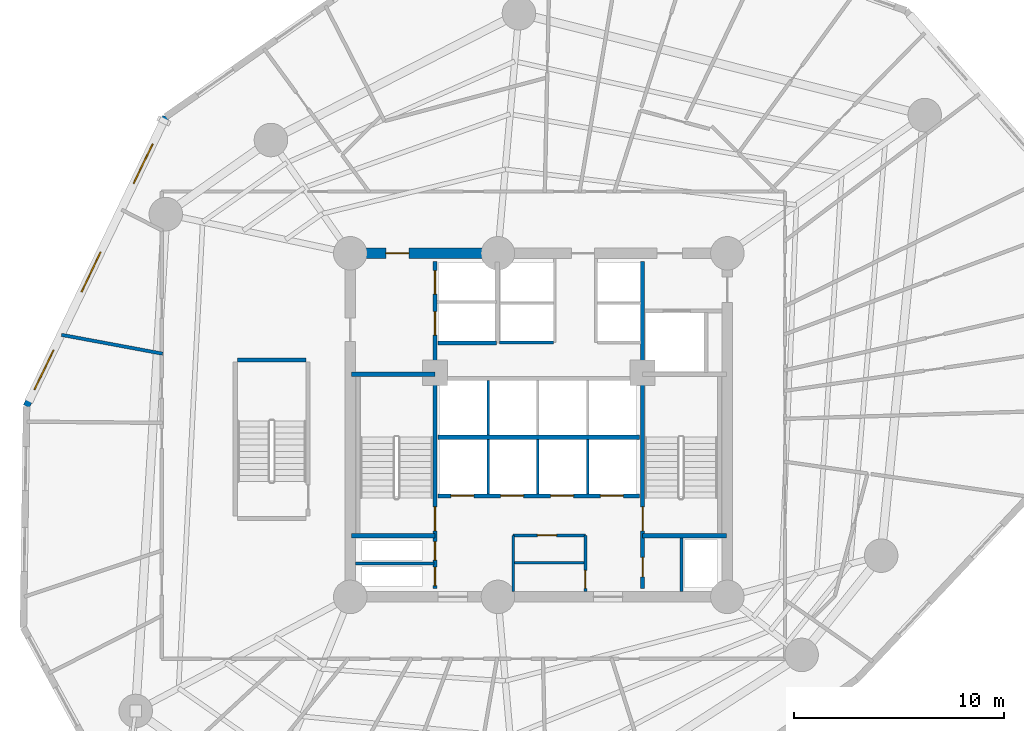
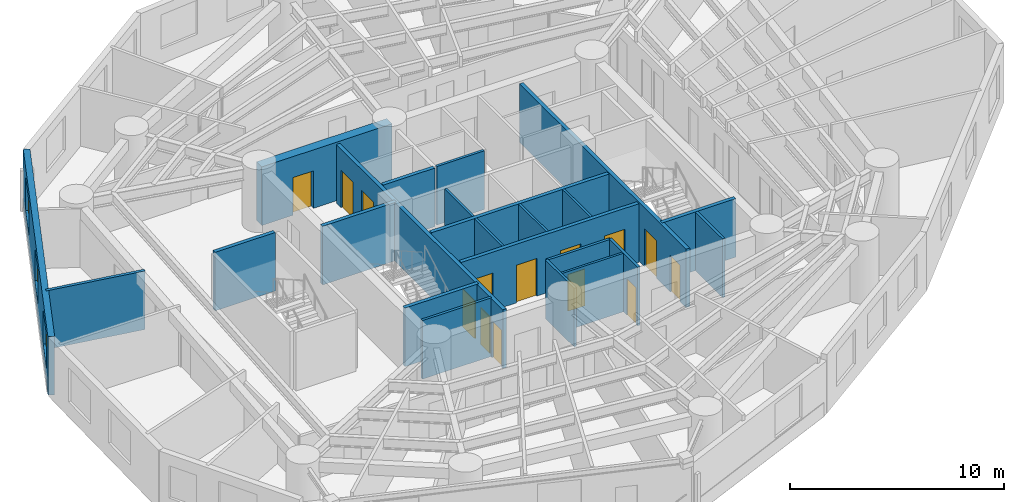
# One storey, part 4 of 11: 23 walls, 14 doors, 3 windows, 17 openings.
"""IFC4 building model written with IfcOpenShell, lengths in metres."""

from ifc_helpers import new_model, si_unit, direction, frame, frame_2d, origin, origin_with_axes, place, context, subcontext, project, spatial, rectangle, extrude, source, transform, mapped, material, layer, layer_set, type_object, element, fill, save


model = new_model("IFC4")

# Units and contexts
model_context = context("Model", 3, precision=1e-05, world=origin(), true_north=direction((0.0, 1.0)))
body_context = subcontext(model_context, "Body", "Model", "MODEL_VIEW")
ifc_project = project(units=[si_unit("LENGTHUNIT", "METRE"), si_unit("AREAUNIT", "SQUARE_METRE"), si_unit("VOLUMEUNIT", "CUBIC_METRE"), si_unit("PLANEANGLEUNIT", "RADIAN"), si_unit("MASSUNIT", "GRAM", prefix="KILO")], contexts=[model_context])

# Site, building, storey
site_placement = place(None, origin())
site = spatial("IfcSite", under=ifc_project, at=site_placement, CompositionType="ELEMENT")
building_placement = place(site_placement, origin())
building = spatial("IfcBuilding", under=site, at=building_placement, Name="Karkom Vertical University and Central Library", CompositionType="ELEMENT")
storey_placement = place(building_placement, frame((0.0, 0.0, 44.5)))
storey = spatial("IfcBuildingStorey", under=building, at=storey_placement, Name="L11", CompositionType="ELEMENT", Elevation=44.5)

# Wall, openings, windows
ifc_material_1 = material(Name="Brick-faced precast concrete C45/55", Category="masonry")
ifc_layer_1 = layer(ifc_material_1, 0.320068359375)
ifc_layer_set_1 = layer_set([ifc_layer_1], Name="Brick-faced precast concrete C45/55")
wall_type_1 = type_object("IfcWallType", Name="ENV-WL-BRK-320", PredefinedType="SOLIDWALL", material=ifc_layer_set_1)
wall_1_placement = place(storey_placement, frame((10.693603515625, 41.21875, 0.0), z_axis=(0.0, 0.0, 1.0), x_axis=(-0.433433173731, -0.901185710001, 0.0)))
wall_1 = element("IfcWall", 1, at=wall_1_placement, inside=storey, type_object=wall_type_1, Name="Level 11 Brick-Faced Precast Facade Wall 01", PredefinedType="SOLIDWALL", context=body_context, shape_type="SweptSolid", body=[
    extrude(rectangle(XDim=15.33740234375, YDim=0.320068359375, at=frame_2d((7.668701171875, 0.0))), origin(), (0.0, 0.0, 1.0), 3.35009765625),
])
opening_1_placement = place(wall_1_placement, frame((1.437255859375, 0.0, 0.85009765625)))
opening_1 = element("IfcOpeningElement", 2, at=opening_1_placement, cuts=wall_1, Name="Opening WN-03", PredefinedType="OPENING", context=body_context, shape_type="SweptSolid", body=[
    extrude(rectangle(XDim=2.10009765625, YDim=1.949951171875, at=frame_2d((1.050048828125, 0.97509765625))), frame((0.0, 0.169921875, 0.0), z_axis=(0.0, -1.0, 0.0), x_axis=(1.0, 0.0, 0.0)), (0.0, 0.0, 1.0), 0.340087890625),
])
opening_2_placement = place(wall_1_placement, frame((7.172607421875, 0.0, 0.85009765625)))
opening_2 = element("IfcOpeningElement", 3, at=opening_2_placement, cuts=wall_1, Name="Opening WN-03", PredefinedType="OPENING", context=body_context, shape_type="SweptSolid", body=[
    extrude(rectangle(XDim=2.10009765625, YDim=1.949951171875, at=frame_2d((1.050048828125, 0.97509765625))), frame((0.0, 0.169921875, 0.0), z_axis=(0.0, -1.0, 0.0), x_axis=(1.0, 0.0, 0.0)), (0.0, 0.0, 1.0), 0.340087890625),
])
opening_3_placement = place(wall_1_placement, frame((12.35400390625, 0.0, 0.85009765625)))
opening_3 = element("IfcOpeningElement", 4, at=opening_3_placement, cuts=wall_1, Name="Opening WN-03", PredefinedType="OPENING", context=body_context, shape_type="SweptSolid", body=[
    extrude(rectangle(XDim=2.10009765625, YDim=1.949951171875, at=frame_2d((1.050048828125, 0.97509765625))), frame((0.0, 0.169921875, 0.0), z_axis=(0.0, -1.0, 0.0), x_axis=(1.0, 0.0, 0.0)), (0.0, 0.0, 1.0), 0.340087890625),
])
ifc_material_2 = material(Name="Aluminium thermal-break frame with solar-control IGU", Category="aluminium")
window_type = type_object("IfcWindowType", Name="ENV-WIN-WN-03", PartitioningType="SINGLE_PANEL", PredefinedType="WINDOW", material=ifc_material_2)
shared_shape_1 = source(origin_with_axes(), body_context, "Body", "SweptSolid", [
    extrude(rectangle(XDim=2.10009765625, YDim=1.949951171875, at=frame_2d((1.050048828125, 0.97509765625))), frame((0.0, 0.030029296875, 0.0), z_axis=(0.0, -1.0, 0.0), x_axis=(1.0, 0.0, 0.0)), (0.0, 0.0, 1.0), 0.06005859375),
])
window_1_placement = place(opening_1_placement, origin())
window_1 = element("IfcWindow", 5, at=window_1_placement, inside=storey, type_object=window_type, Name="Level 11 Punched Window 1.1", OverallHeight=1.949951171875, OverallWidth=2.10009765625, PartitioningType="SINGLE_PANEL", PredefinedType="WINDOW", context=body_context, shape_type="MappedRepresentation", body=[
    mapped(shared_shape_1, transform((0.0, 0.0, 0.0), scale=1.0)),
])
fill(opening_1, window_1)
window_2_placement = place(opening_2_placement, origin())
window_2 = element("IfcWindow", 6, at=window_2_placement, inside=storey, type_object=window_type, Name="Level 11 Punched Window 1.2", OverallHeight=1.949951171875, OverallWidth=2.10009765625, PartitioningType="SINGLE_PANEL", PredefinedType="WINDOW", context=body_context, shape_type="MappedRepresentation", body=[
    mapped(shared_shape_1, transform((0.0, 0.0, 0.0), scale=1.0)),
])
fill(opening_2, window_2)
window_3_placement = place(opening_3_placement, origin())
window_3 = element("IfcWindow", 7, at=window_3_placement, inside=storey, type_object=window_type, Name="Level 11 Punched Window 1.3", OverallHeight=1.949951171875, OverallWidth=2.10009765625, PartitioningType="SINGLE_PANEL", PredefinedType="WINDOW", context=body_context, shape_type="MappedRepresentation", body=[
    mapped(shared_shape_1, transform((0.0, 0.0, 0.0), scale=1.0)),
])
fill(opening_3, window_3)

# Walls
ifc_material_3 = material(Name="Insulated metal-stud drywall 160mm", Category="gypsum")
ifc_layer_2 = layer(ifc_material_3, 0.159912109375)
ifc_layer_set_2 = layer_set([ifc_layer_2], Name="Insulated metal-stud drywall 160mm")
wall_type_2 = type_object("IfcWallType", Name="INT-WL-COR-160", PredefinedType="PARTITIONING", material=ifc_layer_set_2)
wall_2_placement = place(storey_placement, frame((10.544189453125, 29.90771484375, 0.0), z_axis=(0.0, 0.0, 1.0), x_axis=(-0.983076994719, 0.183192855906, 0.0)))
element("IfcWall", 8, at=wall_2_placement, inside=storey, type_object=wall_type_2, Name="Level 11 Interior Partition Wall L11-PW-042", PredefinedType="PARTITIONING", context=body_context, shape_type="SweptSolid", body=[
    extrude(rectangle(XDim=4.910888671875, YDim=0.159912109375, at=frame_2d((2.45556640625, 0.0))), origin(), (0.0, 0.0, 1.0), 3.35009765625),
])
ifc_material_4 = material(Name="Moisture-resistant drywall 120mm", Category="gypsum")
ifc_layer_3 = layer(ifc_material_4, 0.1201171875)
ifc_layer_set_3 = layer_set([ifc_layer_3], Name="Moisture-resistant drywall 120mm")
wall_type_3 = type_object("IfcWallType", Name="INT-WL-INT-120", PredefinedType="PARTITIONING", material=ifc_layer_set_3)
wall_3_placement = place(storey_placement, frame((27.280029296875, 19.93994140625, 0.0), z_axis=(0.0, 0.0, 1.0), x_axis=(1.0, 0.0, 0.0)))
element("IfcWall", 9, at=wall_3_placement, inside=storey, type_object=wall_type_3, Name="Level 11 Interior Partition Wall L11-CW-K4-DIV", PredefinedType="PARTITIONING", context=body_context, shape_type="SweptSolid", body=[
    extrude(rectangle(XDim=3.43994140625, YDim=0.1201171875, at=frame_2d((1.719970703125, 0.0))), origin(), (0.0, 0.0, 1.0), 3.35009765625),
])
ifc_layer_4 = layer(ifc_material_4, 0.1201171875)
ifc_layer_set_4 = layer_set([ifc_layer_4], Name="Moisture-resistant drywall 120mm")
wall_type_4 = type_object("IfcWallType", Name="INT-WL-INT-120H", PredefinedType="PARTITIONING", material=ifc_layer_set_4)
for number, where, z_axis, x_axis, name in (
    (10, (26.080078125, 23.219970703125, 0.0), (0.0, 0.0, 1.0), (0.0, 1.0, 0.0), "Level 11 Interior Partition Wall L11-CW-PL-DIV1"),
    (11, (28.4599609375, 23.219970703125, 0.0), (0.0, 0.0, 1.0), (0.0, 1.0, 0.0), "Level 11 Interior Partition Wall L11-CW-PL-DIV2"),
    (12, (30.840087890625, 23.219970703125, 0.0), (0.0, 0.0, 1.0), (0.0, 1.0, 0.0), "Level 11 Interior Partition Wall L11-CW-PL-DIV3"),
    (13, (26.080078125, 26.02001953125, 0.0), (0.0, 0.0, 1.0), (0.0, 1.0, 0.0), "Level 11 Interior Partition Wall L11-CW-PM-DIV1"),
):
    element("IfcWall", number, at=place(storey_placement, frame(where, z_axis=z_axis, x_axis=x_axis)), inside=storey, type_object=wall_type_4, Name=name, PredefinedType="PARTITIONING", context=body_context, shape_type="SweptSolid", body=[
        extrude(rectangle(XDim=2.60009765625, YDim=0.1201171875, at=frame_2d((1.300048828125, 0.0))), origin(), (0.0, 0.0, 1.0), 3.35009765625),
    ])

# Wall, opening, door
ifc_material_5 = material(Name="Metal-stud gypsum partition 140mm", Category="gypsum")
ifc_layer_5 = layer(ifc_material_5, 0.139892578125)
ifc_layer_set_5 = layer_set([ifc_layer_5], Name="Metal-stud gypsum partition 140mm")
wall_type_5 = type_object("IfcWallType", Name="INT-WL-SUB-140", PredefinedType="PARTITIONING", material=ifc_layer_set_5)
wall_4_placement = place(storey_placement, frame((27.280029296875, 21.239990234375, 0.0), z_axis=(0.0, 0.0, 1.0), x_axis=(1.0, 0.0, 0.0)))
wall_4 = element("IfcWall", 14, at=wall_4_placement, inside=storey, type_object=wall_type_5, Name="Level 11 Interior Partition Wall L11-CW-KBAY-N", PredefinedType="PARTITIONING", context=body_context, shape_type="SweptSolid", body=[
    extrude(rectangle(XDim=3.43994140625, YDim=0.139892578125, at=frame_2d((1.719970703125, 0.0))), origin(), (0.0, 0.0, 1.0), 3.35009765625),
])
opening_4_placement = place(wall_4_placement, frame((1.14990234375, 0.0, 0.0)))
opening_4 = element("IfcOpeningElement", 15, at=opening_4_placement, cuts=wall_4, Name="Opening D-SVC1", PredefinedType="OPENING", context=body_context, shape_type="SweptSolid", body=[
    extrude(rectangle(XDim=0.919921875, YDim=2.10009765625, at=frame_2d((0.4599609375, 1.050048828125))), frame((0.0, 0.080078125, 0.0), z_axis=(0.0, -1.0, 0.0), x_axis=(1.0, 0.0, 0.0)), (0.0, 0.0, 1.0), 0.159912109375),
])
ifc_material_6 = material(Name="Painted timber service door", Category="wood")
door_type_1 = type_object("IfcDoorType", Name="INT-DR-SVC1", OperationType="NOTDEFINED", PredefinedType="DOOR", material=ifc_material_6)
shared_shape_2 = source(origin_with_axes(), body_context, "Body", "SweptSolid", [
    extrude(rectangle(XDim=0.919921875, YDim=2.10009765625, at=frame_2d((0.4599609375, 1.050048828125))), frame((0.0, 0.02490234375, 0.0), z_axis=(0.0, -1.0, 0.0), x_axis=(1.0, 0.0, 0.0)), (0.0, 0.0, 1.0), 0.050048828125),
])
door_1_placement = place(opening_4_placement, origin())
door_1 = element("IfcDoor", 16, at=door_1_placement, inside=storey, type_object=door_type_1, Name="Level 11 Valve Cupboard Door", OperationType="SINGLE_SWING_RIGHT", OverallHeight=2.10009765625, OverallWidth=0.919921875, PredefinedType="DOOR", context=body_context, shape_type="MappedRepresentation", body=[
    mapped(shared_shape_2, transform((0.0, 0.0, 0.0), scale=1.0)),
])
fill(opening_4, door_1)

# Wall
wall_5_placement = place(storey_placement, frame((27.280029296875, 18.550048828125, 0.0), z_axis=(0.0, 0.0, 1.0), x_axis=(0.0, 1.0, 0.0)))
element("IfcWall", 17, at=wall_5_placement, inside=storey, type_object=wall_type_5, Name="Level 11 Interior Partition Wall L11-CW-KBAY-W", PredefinedType="PARTITIONING", context=body_context, shape_type="SweptSolid", body=[
    extrude(rectangle(XDim=2.68994140625, YDim=0.139892578125, at=frame_2d((1.344970703125, 0.0))), origin(), (0.0, 0.0, 1.0), 3.35009765625),
])

# Wall, opening, door
wall_6_placement = place(storey_placement, frame((30.719970703125, 18.550048828125, 0.0), z_axis=(0.0, 0.0, 1.0), x_axis=(0.0, 1.0, 0.0)))
wall_6 = element("IfcWall", 18, at=wall_6_placement, inside=storey, type_object=wall_type_5, Name="Level 11 Interior Partition Wall L11-CW-KBAY-E", PredefinedType="PARTITIONING", context=body_context, shape_type="SweptSolid", body=[
    extrude(rectangle(XDim=2.68994140625, YDim=0.139892578125, at=frame_2d((1.344970703125, 0.0))), origin(), (0.0, 0.0, 1.0), 3.35009765625),
])
opening_5_placement = place(wall_6_placement, frame((0.159912109375, 0.0, 0.0)))
opening_5 = element("IfcOpeningElement", 19, at=opening_5_placement, cuts=wall_6, Name="Opening FD-BTH1", PredefinedType="OPENING", context=body_context, shape_type="SweptSolid", body=[
    extrude(rectangle(XDim=0.860107421875, YDim=2.10009765625, at=frame_2d((0.43017578125, 1.050048828125))), frame((0.0, 0.080078125, 0.0), z_axis=(0.0, -1.0, 0.0), x_axis=(1.0, 0.0, 0.0)), (0.0, 0.0, 1.0), 0.159912109375),
])
ifc_material_7 = material(Name="Fire-rated moisture-resistant oak door", Category="wood")
door_type_2 = type_object("IfcDoorType", Name="INT-DR-FBTH1", OperationType="NOTDEFINED", PredefinedType="DOOR", material=ifc_material_7)
shared_shape_3 = source(origin_with_axes(), body_context, "Body", "SweptSolid", [
    extrude(rectangle(XDim=0.860107421875, YDim=2.10009765625, at=frame_2d((0.43017578125, 1.050048828125))), frame((0.0, 0.02490234375, 0.0), z_axis=(0.0, -1.0, 0.0), x_axis=(1.0, 0.0, 0.0)), (0.0, 0.0, 1.0), 0.050048828125),
])
door_2_placement = place(opening_5_placement, origin())
door_2 = element("IfcDoor", 20, at=door_2_placement, inside=storey, type_object=door_type_2, Name="Level 11 Metering Cupboard Door", OperationType="SINGLE_SWING_LEFT", OverallHeight=2.10009765625, OverallWidth=0.860107421875, PredefinedType="DOOR", context=body_context, shape_type="MappedRepresentation", body=[
    mapped(shared_shape_3, transform((0.0, 0.0, 0.0), scale=1.0)),
])
fill(opening_5, door_2)

# Walls
ifc_layer_6 = layer(ifc_material_5, 0.139892578125)
ifc_layer_set_6 = layer_set([ifc_layer_6], Name="Metal-stud gypsum partition 140mm")
wall_type_6 = type_object("IfcWallType", Name="INT-WL-SUB-140H", PredefinedType="PARTITIONING", material=ifc_layer_set_6)
wall_7_placement = place(storey_placement, frame((19.757080078125, 19.889892578125, 0.0), z_axis=(0.0, 0.0, 1.0), x_axis=(1.0, 0.0, 0.0)))
element("IfcWall", 21, at=wall_7_placement, inside=storey, type_object=wall_type_6, Name="Level 11 Interior Partition Wall L11-CW-RIS-W", PredefinedType="PARTITIONING", context=body_context, shape_type="SweptSolid", body=[
    extrude(rectangle(XDim=3.7392578125, YDim=0.139892578125, at=frame_2d((1.86962890625, 0.0))), origin(), (0.0, 0.0, 1.0), 3.35009765625),
])
wall_8_placement = place(storey_placement, frame((26.6201171875, 30.449951171875, 0.0), z_axis=(0.0, 0.0, 1.0), x_axis=(1.0, 0.0, 0.0)))
element("IfcWall", 22, at=wall_8_placement, inside=storey, type_object=wall_type_6, Name="Level 11 Interior Partition Wall L11-CW-PH-S1", PredefinedType="PARTITIONING", context=body_context, shape_type="SweptSolid", body=[
    extrude(rectangle(XDim=2.579833984375, YDim=0.139892578125, at=frame_2d((1.2900390625, 0.0))), origin(), (0.0, 0.0, 1.0), 3.35009765625),
])
wall_9_placement = place(storey_placement, frame((35.320068359375, 18.556884765625, 0.0), z_axis=(0.0, 0.0, 1.0), x_axis=(0.0, 1.0, 0.0)))
element("IfcWall", 23, at=wall_9_placement, inside=storey, type_object=wall_type_6, Name="Level 11 Interior Partition Wall L11-CW-RIS-E", PredefinedType="PARTITIONING", context=body_context, shape_type="SweptSolid", body=[
    extrude(rectangle(XDim=2.553466796875, YDim=0.139892578125, at=frame_2d((1.27685546875, 0.0))), origin(), (0.0, 0.0, 1.0), 3.35009765625),
])

# Wall, opening, door
ifc_material_8 = material(Name="Concrete C50/60", Category="concrete")
ifc_layer_7 = layer(ifc_material_8, 0.5)
ifc_layer_set_7 = layer_set([ifc_layer_7], Name="Concrete C50/60")
wall_type_7 = type_object("IfcWallType", Name="STR-WL-CW-500", PredefinedType="SHEAR", material=ifc_layer_set_7)
wall_10_placement = place(storey_placement, frame((26.550048828125, 34.699951171875, 0.0), z_axis=(0.0, 0.0, 1.0), x_axis=(-1.0, 0.0, 0.0)))
wall_10 = element("IfcWall", 24, at=wall_10_placement, inside=storey, type_object=wall_type_7, Name="Level 11 Central Core Shear Wall NW2", PredefinedType="SHEAR", context=body_context, shape_type="SweptSolid", body=[
    extrude(rectangle(XDim=7.050048828125, YDim=0.5, at=frame_2d((3.52490234375, 0.0))), origin(), (0.0, 0.0, 1.0), 3.35009765625),
])
opening_6_placement = place(wall_10_placement, frame((4.25, 0.0, 0.0)))
opening_6 = element("IfcOpeningElement", 25, at=opening_6_placement, cuts=wall_10, Name="Opening FD-FFL", PredefinedType="OPENING", context=body_context, shape_type="SweptSolid", body=[
    extrude(rectangle(XDim=1.10009765625, YDim=2.14990234375, at=frame_2d((0.550048828125, 1.074951171875))), frame((0.0, 0.260009765625, 0.0), z_axis=(0.0, -1.0, 0.0), x_axis=(1.0, 0.0, 0.0)), (0.0, 0.0, 1.0), 0.52001953125),
])
ifc_material_9 = material(Name="Painted steel smoke-seal fire door", Category="steel")
door_type_3 = type_object("IfcDoorType", Name="INT-DR-FFL", OperationType="NOTDEFINED", PredefinedType="DOOR", material=ifc_material_9)
shared_shape_4 = source(origin_with_axes(), body_context, "Body", "SweptSolid", [
    extrude(rectangle(XDim=1.10009765625, YDim=2.14990234375, at=frame_2d((0.550048828125, 1.074951171875))), frame((0.0, 0.02490234375, 0.0), z_axis=(0.0, -1.0, 0.0), x_axis=(1.0, 0.0, 0.0)), (0.0, 0.0, 1.0), 0.050048828125),
])
door_3_placement = place(opening_6_placement, origin())
door_3 = element("IfcDoor", 26, at=door_3_placement, inside=storey, type_object=door_type_3, Name="Level 11 Firefighting Lobby Door", OperationType="SINGLE_SWING_RIGHT", OverallHeight=2.14990234375, OverallWidth=1.10009765625, PredefinedType="DOOR", context=body_context, shape_type="MappedRepresentation", body=[
    mapped(shared_shape_4, transform((0.0, 0.0, 0.0), scale=1.0)),
])
fill(opening_6, door_3)

# Wall, openings, doors
ifc_material_10 = material(Name="Concrete C45/55", Category="concrete")
ifc_layer_8 = layer(ifc_material_10, 0.199951171875)
ifc_layer_set_8 = layer_set([ifc_layer_8], Name="Concrete C45/55")
wall_type_8 = type_object("IfcWallType", Name="STR-WL-ST-200", PredefinedType="SHEAR", material=ifc_layer_set_8)
wall_11_placement = place(storey_placement, frame((23.544921875, 18.699951171875, 0.0), z_axis=(0.0, 0.0, 1.0), x_axis=(0.0, 1.0, 0.0)))
wall_11 = element("IfcWall", 27, at=wall_11_placement, inside=storey, type_object=wall_type_8, Name="Level 11 Core Shaft Wall L11-CW-ST1-E", PredefinedType="SHEAR", context=body_context, shape_type="SweptSolid", body=[
    extrude(rectangle(XDim=15.60009765625, YDim=0.199951171875, at=frame_2d((7.800048828125, 0.0))), origin(), (0.0, 0.0, 1.0), 3.35009765625),
])
opening_7_placement = place(wall_11_placement, frame((2.75, 0.0, 0.0)))
opening_7 = element("IfcOpeningElement", 28, at=opening_7_placement, cuts=wall_11, Name="Opening FD-ST1", PredefinedType="OPENING", context=body_context, shape_type="SweptSolid", body=[
    extrude(rectangle(XDim=1.14990234375, YDim=2.14990234375, at=frame_2d((0.574951171875, 1.074951171875))), frame((0.0, 0.10986328125, 0.0), z_axis=(0.0, -1.0, 0.0), x_axis=(1.0, 0.0, 0.0)), (0.0, 0.0, 1.0), 0.219970703125),
])
opening_8_placement = place(wall_11_placement, frame((0.139892578125, 0.0, 0.0)))
opening_8 = element("IfcOpeningElement", 29, at=opening_8_placement, cuts=wall_11, Name="Opening FD-RIS", PredefinedType="OPENING", context=body_context, shape_type="SweptSolid", body=[
    extrude(rectangle(XDim=0.8798828125, YDim=2.10009765625, at=frame_2d((0.43994140625, 1.050048828125))), frame((0.0, 0.10986328125, 0.0), z_axis=(0.0, -1.0, 0.0), x_axis=(1.0, 0.0, 0.0)), (0.0, 0.0, 1.0), 0.219970703125),
])
opening_9_placement = place(wall_11_placement, frame((1.360107421875, 0.0, 0.0)))
opening_9 = element("IfcOpeningElement", 30, at=opening_9_placement, cuts=wall_11, Name="Opening FD-RIS", PredefinedType="OPENING", context=body_context, shape_type="SweptSolid", body=[
    extrude(rectangle(XDim=0.8798828125, YDim=2.10009765625, at=frame_2d((0.43994140625, 1.050048828125))), frame((0.0, 0.10986328125, 0.0), z_axis=(0.0, -1.0, 0.0), x_axis=(1.0, 0.0, 0.0)), (0.0, 0.0, 1.0), 0.219970703125),
])
opening_10_placement = place(wall_11_placement, frame((12.10009765625, 0.0, 0.0)))
opening_10 = element("IfcOpeningElement", 31, at=opening_10_placement, cuts=wall_11, Name="Opening LD-FFL", PredefinedType="OPENING", context=body_context, shape_type="SweptSolid", body=[
    extrude(rectangle(XDim=1.1201171875, YDim=2.14990234375, at=frame_2d((0.56005859375, 1.074951171875))), frame((0.0, 0.10986328125, 0.0), z_axis=(0.0, -1.0, 0.0), x_axis=(1.0, 0.0, 0.0)), (0.0, 0.0, 1.0), 0.219970703125),
])
opening_11_placement = place(wall_11_placement, frame((14.050048828125, 0.0, 0.0)))
opening_11 = element("IfcOpeningElement", 32, at=opening_11_placement, cuts=wall_11, Name="Opening LD-FFL", PredefinedType="OPENING", context=body_context, shape_type="SweptSolid", body=[
    extrude(rectangle(XDim=1.1201171875, YDim=2.14990234375, at=frame_2d((0.56005859375, 1.074951171875))), frame((0.0, 0.10986328125, 0.0), z_axis=(0.0, -1.0, 0.0), x_axis=(1.0, 0.0, 0.0)), (0.0, 0.0, 1.0), 0.219970703125),
])
ifc_material_11 = material(Name="Painted steel acoustic fire door", Category="steel")
door_type_4 = type_object("IfcDoorType", Name="INT-DR-ST1", OperationType="NOTDEFINED", PredefinedType="DOOR", material=ifc_material_11)
shared_shape_5 = source(origin_with_axes(), body_context, "Body", "SweptSolid", [
    extrude(rectangle(XDim=1.14990234375, YDim=2.14990234375, at=frame_2d((0.574951171875, 1.074951171875))), frame((0.0, 0.02490234375, 0.0), z_axis=(0.0, -1.0, 0.0), x_axis=(1.0, 0.0, 0.0)), (0.0, 0.0, 1.0), 0.050048828125),
])
door_4_placement = place(opening_7_placement, origin())
door_4 = element("IfcDoor", 33, at=door_4_placement, inside=storey, type_object=door_type_4, Name="Level 11 Stair ST-1 Fire Door", OperationType="SINGLE_SWING_RIGHT", OverallHeight=2.14990234375, OverallWidth=1.14990234375, PredefinedType="DOOR", context=body_context, shape_type="MappedRepresentation", body=[
    mapped(shared_shape_5, transform((0.0, 0.0, 0.0), scale=1.0)),
])
fill(opening_7, door_4)
ifc_material_12 = material(Name="Painted steel riser access door", Category="steel")
door_type_5 = type_object("IfcDoorType", Name="INT-DR-RIS", OperationType="NOTDEFINED", PredefinedType="DOOR", material=ifc_material_12)
shared_shape_6 = source(origin_with_axes(), body_context, "Body", "SweptSolid", [
    extrude(rectangle(XDim=0.8798828125, YDim=2.10009765625, at=frame_2d((0.43994140625, 1.050048828125))), frame((0.0, 0.02490234375, 0.0), z_axis=(0.0, -1.0, 0.0), x_axis=(1.0, 0.0, 0.0)), (0.0, 0.0, 1.0), 0.050048828125),
])
door_5_placement = place(opening_8_placement, origin())
door_5 = element("IfcDoor", 34, at=door_5_placement, inside=storey, type_object=door_type_5, Name="Level 11 Electrical Riser Access Door", OperationType="SINGLE_SWING_RIGHT", OverallHeight=2.10009765625, OverallWidth=0.8798828125, PredefinedType="DOOR", context=body_context, shape_type="MappedRepresentation", body=[
    mapped(shared_shape_6, transform((0.0, 0.0, 0.0), scale=1.0)),
])
fill(opening_8, door_5)
door_6_placement = place(opening_9_placement, origin())
door_6 = element("IfcDoor", 35, at=door_6_placement, inside=storey, type_object=door_type_5, Name="Level 11 Telecom Riser Access Door", OperationType="SINGLE_SWING_LEFT", OverallHeight=2.10009765625, OverallWidth=0.8798828125, PredefinedType="DOOR", context=body_context, shape_type="MappedRepresentation", body=[
    mapped(shared_shape_6, transform((0.0, 0.0, 0.0), scale=1.0)),
])
fill(opening_9, door_6)
ifc_material_13 = material(Name="Fire-rated stainless-steel landing door", Category="steel")
door_type_6 = type_object("IfcDoorType", Name="INT-DR-LD-FFL", OperationType="SLIDING_TO_LEFT", PredefinedType="DOOR", material=ifc_material_13)
shared_shape_7 = source(origin_with_axes(), body_context, "Body", "SweptSolid", [
    extrude(rectangle(XDim=1.1201171875, YDim=2.14990234375, at=frame_2d((0.56005859375, 1.074951171875))), frame((0.0, 0.02490234375, 0.0), z_axis=(0.0, -1.0, 0.0), x_axis=(1.0, 0.0, 0.0)), (0.0, 0.0, 1.0), 0.050048828125),
])
door_7_placement = place(opening_10_placement, origin())
door_7 = element("IfcDoor", 36, at=door_7_placement, inside=storey, type_object=door_type_6, Name="Level 11 Firefighting Lift FFL-1 Landing Door", OperationType="SLIDING_TO_LEFT", OverallHeight=2.14990234375, OverallWidth=1.1201171875, PredefinedType="DOOR", context=body_context, shape_type="MappedRepresentation", body=[
    mapped(shared_shape_7, transform((0.0, 0.0, 0.0), scale=1.0)),
])
fill(opening_10, door_7)
door_8_placement = place(opening_11_placement, origin())
door_8 = element("IfcDoor", 37, at=door_8_placement, inside=storey, type_object=door_type_6, Name="Level 11 Firefighting Lift FFL-2 Landing Door", OperationType="SLIDING_TO_RIGHT", OverallHeight=2.14990234375, OverallWidth=1.1201171875, PredefinedType="DOOR", context=body_context, shape_type="MappedRepresentation", body=[
    mapped(shared_shape_7, transform((0.0, 0.0, 0.0), scale=1.0)),
])
fill(opening_11, door_8)

wall_12_placement = place(storey_placement, frame((33.455078125, 18.699951171875, 0.0), z_axis=(0.0, 0.0, 1.0), x_axis=(0.0, 1.0, 0.0)))
wall_12 = element("IfcWall", 38, at=wall_12_placement, inside=storey, type_object=wall_type_8, Name="Level 11 Core Shaft Wall L11-CW-ST2-W", PredefinedType="SHEAR", context=body_context, shape_type="SweptSolid", body=[
    extrude(rectangle(XDim=15.60009765625, YDim=0.199951171875, at=frame_2d((7.800048828125, 0.0))), origin(), (0.0, 0.0, 1.0), 3.35009765625),
])
opening_12_placement = place(wall_12_placement, frame((2.75, 0.0, 0.0)))
opening_12 = element("IfcOpeningElement", 39, at=opening_12_placement, cuts=wall_12, Name="Opening FD-ST1", PredefinedType="OPENING", context=body_context, shape_type="SweptSolid", body=[
    extrude(rectangle(XDim=1.14990234375, YDim=2.14990234375, at=frame_2d((0.574951171875, 1.074951171875))), frame((0.0, 0.10986328125, 0.0), z_axis=(0.0, -1.0, 0.0), x_axis=(1.0, 0.0, 0.0)), (0.0, 0.0, 1.0), 0.219970703125),
])
opening_13_placement = place(wall_12_placement, frame((0.550048828125, 0.0, 0.0)))
opening_13 = element("IfcOpeningElement", 40, at=opening_13_placement, cuts=wall_12, Name="Opening D-WC1", PredefinedType="OPENING", context=body_context, shape_type="SweptSolid", body=[
    extrude(rectangle(XDim=0.93994140625, YDim=2.10009765625, at=frame_2d((0.469970703125, 1.050048828125))), frame((0.0, 0.10986328125, 0.0), z_axis=(0.0, -1.0, 0.0), x_axis=(1.0, 0.0, 0.0)), (0.0, 0.0, 1.0), 0.219970703125),
])
door_9_placement = place(opening_12_placement, origin())
door_9 = element("IfcDoor", 41, at=door_9_placement, inside=storey, type_object=door_type_4, Name="Level 11 Stair ST-2 Fire Door", OperationType="SINGLE_SWING_LEFT", OverallHeight=2.14990234375, OverallWidth=1.14990234375, PredefinedType="DOOR", context=body_context, shape_type="MappedRepresentation", body=[
    mapped(shared_shape_5, transform((0.0, 0.0, 0.0), scale=1.0)),
])
fill(opening_12, door_9)
ifc_material_14 = material(Name="Fire-rated laminate moisture-resistant door", Category="wood")
door_type_7 = type_object("IfcDoorType", Name="INT-DR-WC1", OperationType="NOTDEFINED", PredefinedType="DOOR", material=ifc_material_14)
shared_shape_8 = source(origin_with_axes(), body_context, "Body", "SweptSolid", [
    extrude(rectangle(XDim=0.93994140625, YDim=2.10009765625, at=frame_2d((0.469970703125, 1.050048828125))), frame((0.0, 0.02490234375, 0.0), z_axis=(0.0, -1.0, 0.0), x_axis=(1.0, 0.0, 0.0)), (0.0, 0.0, 1.0), 0.050048828125),
])
door_10_placement = place(opening_13_placement, origin())
door_10 = element("IfcDoor", 42, at=door_10_placement, inside=storey, type_object=door_type_7, Name="Level 11 Accessible WC Door", OperationType="SINGLE_SWING_RIGHT", OverallHeight=2.10009765625, OverallWidth=0.93994140625, PredefinedType="DOOR", context=body_context, shape_type="MappedRepresentation", body=[
    mapped(shared_shape_8, transform((0.0, 0.0, 0.0), scale=1.0)),
])
fill(opening_13, door_10)

wall_13_placement = place(storey_placement, frame((23.699951171875, 23.1201171875, 0.0), z_axis=(0.0, 0.0, 1.0), x_axis=(1.0, 0.0, 0.0)))
wall_13 = element("IfcWall", 43, at=wall_13_placement, inside=storey, type_object=wall_type_8, Name="Level 11 Core Shaft Wall L11-CW-B1-S", PredefinedType="SHEAR", context=body_context, shape_type="SweptSolid", body=[
    extrude(rectangle(XDim=9.60009765625, YDim=0.199951171875, at=frame_2d((4.800048828125, 0.0))), origin(), (0.0, 0.0, 1.0), 3.35009765625),
])
opening_14_placement = place(wall_13_placement, frame((0.60009765625, 0.0, 0.0)))
opening_14 = element("IfcOpeningElement", 44, at=opening_14_placement, cuts=wall_13, Name="Opening LD-PAX", PredefinedType="OPENING", context=body_context, shape_type="SweptSolid", body=[
    extrude(rectangle(XDim=1.10009765625, YDim=2.14990234375, at=frame_2d((0.550048828125, 1.074951171875))), frame((0.0, 0.10986328125, 0.0), z_axis=(0.0, -1.0, 0.0), x_axis=(1.0, 0.0, 0.0)), (0.0, 0.0, 1.0), 0.219970703125),
])
opening_15_placement = place(wall_13_placement, frame((2.97998046875, 0.0, 0.0)))
opening_15 = element("IfcOpeningElement", 45, at=opening_15_placement, cuts=wall_13, Name="Opening LD-PAX", PredefinedType="OPENING", context=body_context, shape_type="SweptSolid", body=[
    extrude(rectangle(XDim=1.10009765625, YDim=2.14990234375, at=frame_2d((0.550048828125, 1.074951171875))), frame((0.0, 0.10986328125, 0.0), z_axis=(0.0, -1.0, 0.0), x_axis=(1.0, 0.0, 0.0)), (0.0, 0.0, 1.0), 0.219970703125),
])
opening_16_placement = place(wall_13_placement, frame((5.360107421875, 0.0, 0.0)))
opening_16 = element("IfcOpeningElement", 46, at=opening_16_placement, cuts=wall_13, Name="Opening LD-PAX", PredefinedType="OPENING", context=body_context, shape_type="SweptSolid", body=[
    extrude(rectangle(XDim=1.10009765625, YDim=2.14990234375, at=frame_2d((0.550048828125, 1.074951171875))), frame((0.0, 0.10986328125, 0.0), z_axis=(0.0, -1.0, 0.0), x_axis=(1.0, 0.0, 0.0)), (0.0, 0.0, 1.0), 0.219970703125),
])
opening_17_placement = place(wall_13_placement, frame((7.739990234375, 0.0, 0.0)))
opening_17 = element("IfcOpeningElement", 47, at=opening_17_placement, cuts=wall_13, Name="Opening LD-PAX", PredefinedType="OPENING", context=body_context, shape_type="SweptSolid", body=[
    extrude(rectangle(XDim=1.10009765625, YDim=2.14990234375, at=frame_2d((0.550048828125, 1.074951171875))), frame((0.0, 0.10986328125, 0.0), z_axis=(0.0, -1.0, 0.0), x_axis=(1.0, 0.0, 0.0)), (0.0, 0.0, 1.0), 0.219970703125),
])
ifc_material_15 = material(Name="Brushed stainless-steel landing door", Category="steel")
door_type_8 = type_object("IfcDoorType", Name="INT-DR-LD-PAX", OperationType="SLIDING_TO_LEFT", PredefinedType="DOOR", material=ifc_material_15)
door_11_placement = place(opening_14_placement, origin())
door_11 = element("IfcDoor", 48, at=door_11_placement, inside=storey, type_object=door_type_8, Name="Level 11 Lift PL-1 Landing Door", OperationType="SLIDING_TO_LEFT", OverallHeight=2.14990234375, OverallWidth=1.10009765625, PredefinedType="DOOR", context=body_context, shape_type="MappedRepresentation", body=[
    mapped(shared_shape_4, transform((0.0, 0.0, 0.0), scale=1.0)),
])
fill(opening_14, door_11)
door_12_placement = place(opening_15_placement, origin())
door_12 = element("IfcDoor", 49, at=door_12_placement, inside=storey, type_object=door_type_8, Name="Level 11 Lift PL-2 Landing Door", OperationType="SLIDING_TO_RIGHT", OverallHeight=2.14990234375, OverallWidth=1.10009765625, PredefinedType="DOOR", context=body_context, shape_type="MappedRepresentation", body=[
    mapped(shared_shape_4, transform((0.0, 0.0, 0.0), scale=1.0)),
])
fill(opening_15, door_12)
door_13_placement = place(opening_16_placement, origin())
door_13 = element("IfcDoor", 50, at=door_13_placement, inside=storey, type_object=door_type_8, Name="Level 11 Lift PL-3 Landing Door", OperationType="SLIDING_TO_LEFT", OverallHeight=2.14990234375, OverallWidth=1.10009765625, PredefinedType="DOOR", context=body_context, shape_type="MappedRepresentation", body=[
    mapped(shared_shape_4, transform((0.0, 0.0, 0.0), scale=1.0)),
])
fill(opening_16, door_13)
door_14_placement = place(opening_17_placement, origin())
door_14 = element("IfcDoor", 51, at=door_14_placement, inside=storey, type_object=door_type_8, Name="Level 11 Lift PL-4 Landing Door", OperationType="SLIDING_TO_RIGHT", OverallHeight=2.14990234375, OverallWidth=1.10009765625, PredefinedType="DOOR", context=body_context, shape_type="MappedRepresentation", body=[
    mapped(shared_shape_4, transform((0.0, 0.0, 0.0), scale=1.0)),
])
fill(opening_17, door_14)

# Walls
wall_14_placement = place(storey_placement, frame((23.699951171875, 25.919921875, 0.0), z_axis=(0.0, 0.0, 1.0), x_axis=(1.0, 0.0, 0.0)))
element("IfcWall", 52, at=wall_14_placement, inside=storey, type_object=wall_type_8, Name="Level 11 Core Shaft Wall L11-CW-B1-N", PredefinedType="SHEAR", context=body_context, shape_type="SweptSolid", body=[
    extrude(rectangle(XDim=9.60009765625, YDim=0.199951171875, at=frame_2d((4.800048828125, 0.0))), origin(), (0.0, 0.0, 1.0), 3.35009765625),
])
for number, where, z_axis, x_axis, name in (
    (53, (33.455078125, 21.215087890625, 0.0), (0.0, 0.0, 1.0), (1.0, 0.0, 0.0), "Level 11 Core Shaft Wall L11-CW-ST2-S"),
    (54, (19.550048828125, 21.215087890625, 0.0), (0.0, 0.0, 1.0), (1.0, 0.0, 0.0), "Level 11 Core Shaft Wall L11-CW-ST1-S"),
    (55, (19.550048828125, 28.925048828125, 0.0), (0.0, 0.0, 1.0), (1.0, 0.0, 0.0), "Level 11 Core Shaft Wall L11-CW-ST1-N"),
):
    element("IfcWall", number, at=place(storey_placement, frame(where, z_axis=z_axis, x_axis=x_axis)), inside=storey, type_object=wall_type_8, Name=name, PredefinedType="SHEAR", context=body_context, shape_type="SweptSolid", body=[
        extrude(rectangle(XDim=3.994873046875, YDim=0.199951171875, at=frame_2d((1.99755859375, 0.0))), origin(), (0.0, 0.0, 1.0), 3.35009765625),
    ])
wall_15_placement = place(storey_placement, frame((14.1201171875, 29.60498046875, 0.0), z_axis=(0.0, 0.0, 1.0), x_axis=(1.0, 0.0, 0.0)))
element("IfcWall", 56, at=wall_15_placement, inside=storey, type_object=wall_type_8, Name="Level 11 Core Shaft Wall L11-W-ST3-N", PredefinedType="SHEAR", context=body_context, shape_type="SweptSolid", body=[
    extrude(rectangle(XDim=3.259765625, YDim=0.199951171875, at=frame_2d((1.6298828125, 0.0))), origin(), (0.0, 0.0, 1.0), 3.35009765625),
])
wall_16_placement = place(storey_placement, frame((23.699951171875, 30.419921875, 0.0), z_axis=(0.0, 0.0, 1.0), x_axis=(1.0, 0.0, 0.0)))
element("IfcWall", 57, at=wall_16_placement, inside=storey, type_object=wall_type_8, Name="Level 11 Core Shaft Wall L11-CW-FFL-S", PredefinedType="SHEAR", context=body_context, shape_type="SweptSolid", body=[
    extrude(rectangle(XDim=2.780029296875, YDim=0.199951171875, at=frame_2d((1.39013671875, 0.0))), origin(), (0.0, 0.0, 1.0), 3.35009765625),
])

save(model, "model.ifc")
